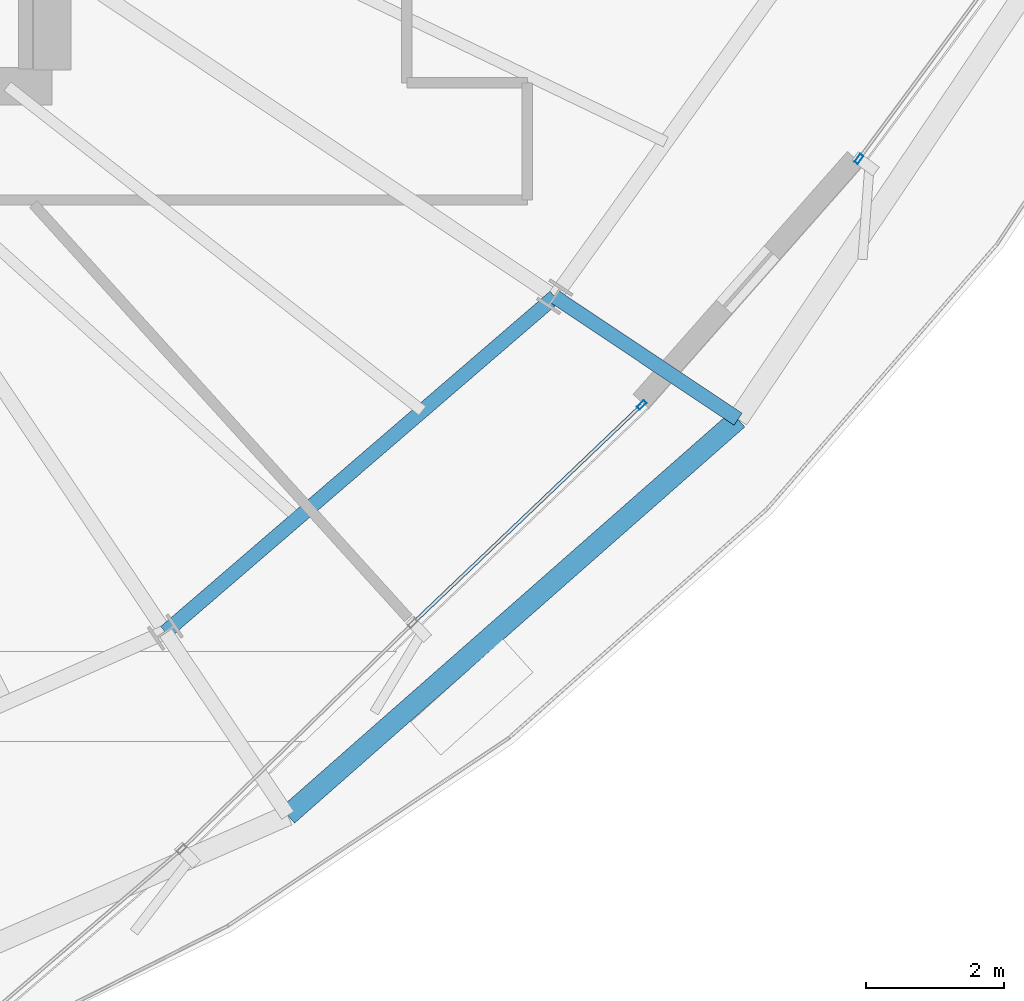
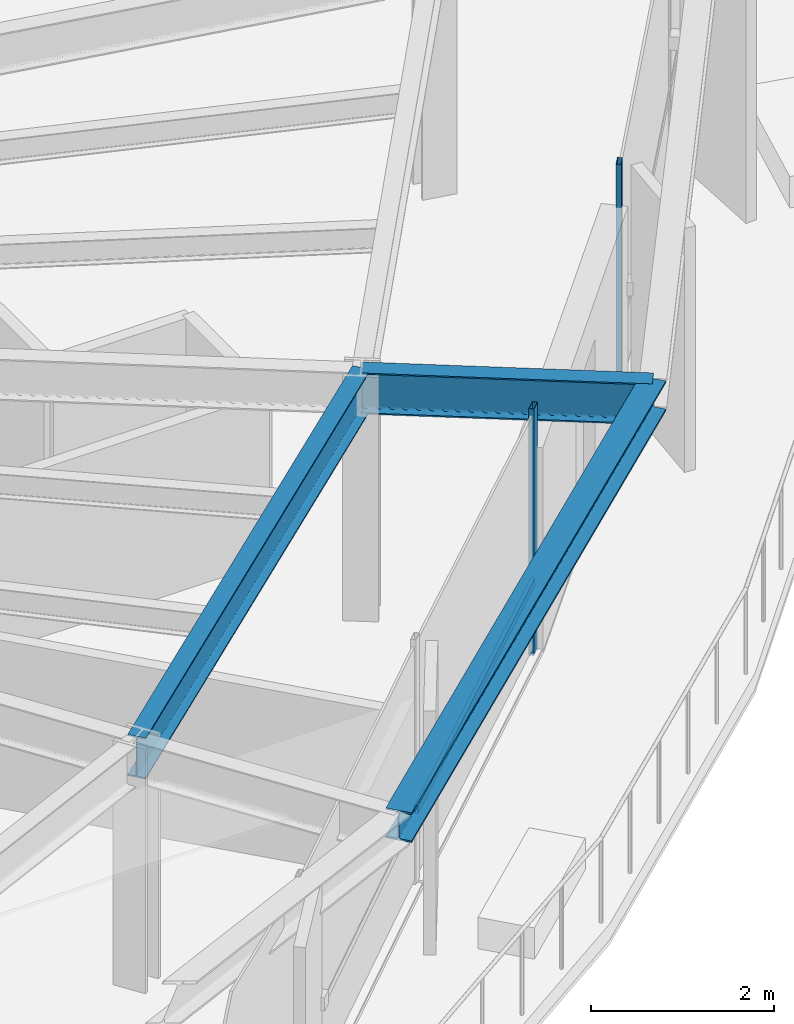
# One storey, part 14 of 34: 3 beams, 3 members, 2 elements without a shape of their own.
"""IFC4 building model written with IfcOpenShell, lengths in metres."""

from ifc_helpers import new_model, si_unit, direction, frame, origin, origin_2d, place, context, subcontext, project, spatial, hollow_rectangle, i_section, extrude, source, transform, mapped, material, layer, layer_set, material_profile, profile_set, type_object, element, aggregate, save


model = new_model("IFC4")

# Units and contexts
model_context = context("Model", 3, precision=1e-05, world=origin(), true_north=direction((0.0, 1.0)))
body_context = subcontext(model_context, "Body", "Model", "MODEL_VIEW")
ifc_project = project(units=[si_unit("LENGTHUNIT", "METRE"), si_unit("AREAUNIT", "SQUARE_METRE"), si_unit("VOLUMEUNIT", "CUBIC_METRE"), si_unit("PLANEANGLEUNIT", "RADIAN"), si_unit("MASSUNIT", "GRAM", prefix="KILO"), si_unit("THERMODYNAMICTEMPERATUREUNIT", "KELVIN")], contexts=[model_context])

# Site, building, storey
site_placement = place(None, origin())
site = spatial("IfcSite", under=ifc_project, at=site_placement, CompositionType="ELEMENT")
building_placement = place(site_placement, origin())
building = spatial("IfcBuilding", under=site, at=building_placement, Name="Kethvar Cultural Tower", CompositionType="ELEMENT")
storey_placement = place(building_placement, frame((0.0, 0.0, 153.64990234375)))
storey = spatial("IfcBuildingStorey", under=building, at=storey_placement, Name="L39", CompositionType="ELEMENT", Elevation=153.64990234375)

# Beams
ifc_material_1 = material(Name="Steel S355J2", Category="steel")
ifc_material_profile_1 = material_profile(ifc_material_1, i_section(OverallWidth=0.2099609375, OverallDepth=0.550048828125, WebThickness=0.010986328125, FlangeThickness=0.01708984375, FilletRadius=0.02392578125, at=origin_2d()), Name="Steel S355J2 — IPE550")
ifc_profile_set_1 = profile_set([ifc_material_profile_1], Name="Steel S355J2 — IPE550")
beam_type_1 = type_object("IfcBeamType", Name="BM-IPE550", PredefinedType="BEAM", material=ifc_profile_set_1)
shared_shape_1 = source(origin(), body_context, "Body", "SweptSolid", [
    extrude(i_section(OverallWidth=0.2099609375, OverallDepth=0.550048828125, WebThickness=0.010986328125, FlangeThickness=0.01708984375, FilletRadius=0.02392578125, at=origin_2d()), origin(), (0.0, 0.0, 1.0), 3.199951171875),
])
beam_1_placement = place(storey_placement, frame((62.898681640625, 17.043212890625, 3.023193359375), z_axis=(0.831462943996, -0.555580212716, 0.0), x_axis=(0.555580212716, 0.831462943996, 0.0)))
element("IfcBeam", 1, at=beam_1_placement, inside=storey, type_object=beam_type_1, Name="L39 Perimeter Cantilever Beam RC-15", PredefinedType="BEAM", context=body_context, shape_type="MappedRepresentation", body=[
    mapped(shared_shape_1, transform((0.0, 0.0, 0.0), scale=1.0)),
])
shared_shape_2 = source(origin(), body_context, "Body", "SweptSolid", [
    extrude(i_section(OverallWidth=0.2099609375, OverallDepth=0.550048828125, WebThickness=0.010986328125, FlangeThickness=0.01708984375, FilletRadius=0.02392578125, at=origin_2d()), origin(), (0.0, 0.0, 1.0), 7.46484375),
])
beam_2_placement = place(storey_placement, frame((57.241943359375, 12.17236328125, 3.023193359375), z_axis=(0.757784075291, 0.652505398625, 0.0), x_axis=(-0.652505398625, 0.757784075291, 0.0)))
element("IfcBeam", 2, at=beam_2_placement, inside=storey, type_object=beam_type_1, Name="L39 Column Ring Tie Beam CR-14", PredefinedType="BEAM", context=body_context, shape_type="MappedRepresentation", body=[
    mapped(shared_shape_2, transform((0.0, 0.0, 0.0), scale=1.0)),
])
ifc_material_profile_2 = material_profile(ifc_material_1, i_section(OverallWidth=0.300048828125, OverallDepth=0.39990234375, WebThickness=0.013427734375, FlangeThickness=0.02392578125, FilletRadius=0.027099609375, at=origin_2d()), Name="Steel S355J2 — HEB400")
ifc_profile_set_2 = profile_set([ifc_material_profile_2], Name="Steel S355J2 — HEB400")
beam_type_2 = type_object("IfcBeamType", Name="BM-SP400", PredefinedType="SPANDREL", material=ifc_profile_set_2)
shared_shape_3 = source(origin(), body_context, "Body", "SweptSolid", [
    extrude(i_section(OverallWidth=0.300048828125, OverallDepth=0.39990234375, WebThickness=0.013427734375, FlangeThickness=0.02392578125, FilletRadius=0.027099609375, at=origin_2d()), origin(), (0.0, 0.0, 1.0), 8.71044921875),
])
beam_3_placement = place(storey_placement, frame((59.019775390625, 9.51171875, 3.09814453125), z_axis=(0.75077856833, 0.660553965498, 0.0), x_axis=(-0.660553965498, 0.75077856833, 0.0)))
element("IfcBeam", 3, at=beam_3_placement, inside=storey, type_object=beam_type_2, Name="L39 Perimeter Spandrel Beam SP-14", PredefinedType="SPANDREL", context=body_context, shape_type="MappedRepresentation", body=[
    mapped(shared_shape_3, transform((0.0, 0.0, 0.0), scale=1.0)),
])

# Curtain wall, member
ifc_material_2 = material(Name="Aluminium 6063-T6", Category="aluminium")
ifc_layer = layer(ifc_material_2, 0.179931640625, Name="Aluminium 6063-T6", Category="aluminium")
ifc_layer_set = layer_set([ifc_layer], Name="Aluminium 6063-T6 (180 mm)")
curtain_wall_type = type_object("IfcCurtainWallType", Name="CW-SYS-04-Z34", PredefinedType="NOTDEFINED", material=ifc_layer_set)
curtain_wall_1_placement = place(storey_placement, origin())
curtain_wall_1 = element("IfcCurtainWall", 4, at=curtain_wall_1_placement, inside=storey, type_object=curtain_wall_type, Name="L39 Curtain Wall Run 05", PredefinedType="NOTDEFINED")
ifc_material_profile_3 = material_profile(ifc_material_2, hollow_rectangle(XDim=0.06005859375, YDim=0.139892578125, WallThickness=0.0048828125, at=origin_2d()), Name="Aluminium 6063-T6 — RHS140x60x5")
ifc_profile_set_3 = profile_set([ifc_material_profile_3], Name="Aluminium 6063-T6 — RHS140x60x5")
member_type_1 = type_object("IfcMemberType", Name="CW-SYS-04-Z34-MUL", PredefinedType="MULLION", material=ifc_profile_set_3)
shared_shape_4 = source(origin(), body_context, "Body", "SweptSolid", [
    extrude(hollow_rectangle(XDim=0.06005859375, YDim=0.139892578125, WallThickness=0.0048828125, at=origin_2d()), origin(), (0.0, 0.0, 1.0), 3.300048828125),
])
member_1_placement = place(storey_placement, frame((64.16357421875, 15.4736328125, 0.0), z_axis=(0.0, 0.0, 1.0), x_axis=(-0.690213353263, 0.723605919667, 0.0)))
member_1 = element("IfcMember", 5, at=member_1_placement, type_object=member_type_1, Name="CW-L39-R05 Mullion 6", PredefinedType="MULLION", context=body_context, shape_type="MappedRepresentation", body=[
    mapped(shared_shape_4, transform((0.0, 0.0, 0.0), scale=1.0)),
])

curtain_wall_2_placement = place(storey_placement, origin())
curtain_wall_2 = element("IfcCurtainWall", 6, at=curtain_wall_2_placement, inside=storey, type_object=curtain_wall_type, Name="L39 Curtain Wall Run 06", PredefinedType="NOTDEFINED")
member_2_placement = place(storey_placement, frame((67.3154296875, 19.044921875, 0.0), z_axis=(0.0, 0.0, 1.0), x_axis=(-0.804220067176, 0.594331627588, 0.0)))
member_2 = element("IfcMember", 7, at=member_2_placement, type_object=member_type_1, Name="CW-L39-R06 Mullion 1", PredefinedType="MULLION", context=body_context, shape_type="MappedRepresentation", body=[
    mapped(shared_shape_4, transform((0.0, 0.0, 0.0), scale=1.0)),
])
aggregate(curtain_wall_2, [member_2])

# Member
ifc_material_profile_4 = material_profile(ifc_material_2, hollow_rectangle(XDim=0.050048828125, YDim=0.10009765625, WallThickness=0.00390625, at=origin_2d()), Name="Aluminium 6063-T6 — RHS100x50x4")
ifc_profile_set_4 = profile_set([ifc_material_profile_4], Name="Aluminium 6063-T6 — RHS100x50x4")
member_type_2 = type_object("IfcMemberType", Name="CW-SYS-04-Z34-TRN", PredefinedType="USERDEFINED", material=ifc_profile_set_4)
shared_shape_5 = source(origin(), body_context, "Body", "SweptSolid", [
    extrude(hollow_rectangle(XDim=0.050048828125, YDim=0.10009765625, WallThickness=0.00390625, at=origin_2d()), origin(), (0.0, 0.0, 1.0), 4.547607421875),
])
member_3_placement = place(storey_placement, frame((60.869873046875, 12.331787109375, 0.9501953125), z_axis=(0.723579768329, 0.690240768765, 0.0), x_axis=(-0.690240768765, 0.723579768329, 0.0)))
member_3 = element("IfcMember", 8, at=member_3_placement, type_object=member_type_2, Name="CW-L39-R05 Transom 5", ObjectType="TRANSOM", PredefinedType="USERDEFINED", context=body_context, shape_type="MappedRepresentation", body=[
    mapped(shared_shape_5, transform((0.0, 0.0, 0.0), scale=1.0)),
])

aggregate(curtain_wall_1, [member_1, member_3])

save(model, "model.ifc")
